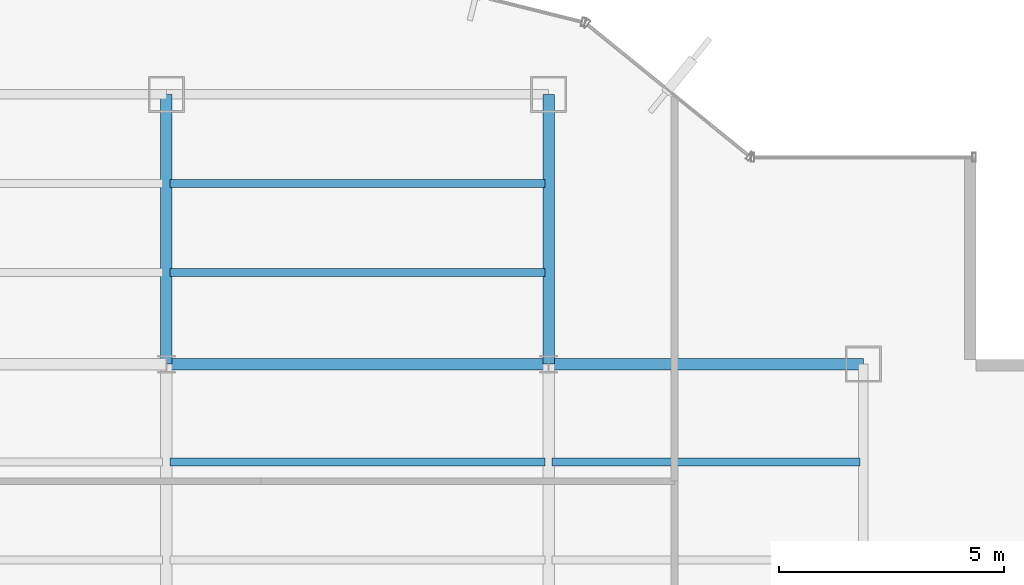
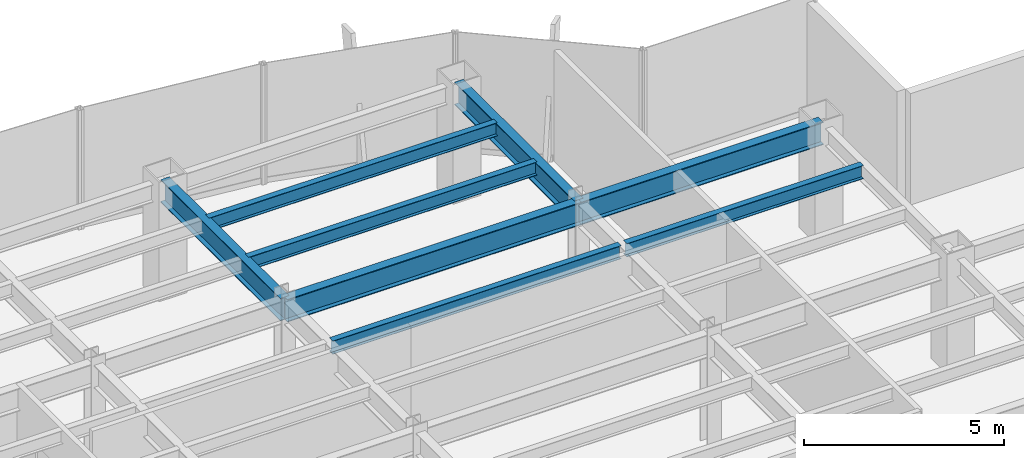
# One storey, part 17 of 26: 8 beams.
"""IFC4 building model written with IfcOpenShell, lengths in metres."""

from ifc_helpers import new_model, si_unit, derived_unit, direction, frame, origin, origin_2d, place, context, subcontext, project, spatial, i_section, extrude, source, transform, mapped, material, material_profile, profile_set, type_object, element, save


model = new_model("IFC4")

# Units and contexts
model_context = context("Model", 3, precision=1e-05, world=origin(), true_north=direction((0.0, 1.0)))
body_context = subcontext(model_context, "Body", "Model", "MODEL_VIEW")
ifc_project = project(units=[si_unit("LENGTHUNIT", "METRE"), si_unit("AREAUNIT", "SQUARE_METRE"), si_unit("VOLUMEUNIT", "CUBIC_METRE"), si_unit("PLANEANGLEUNIT", "RADIAN"), si_unit("MASSUNIT", "GRAM", prefix="KILO"), derived_unit("THERMALTRANSMITTANCEUNIT", [(si_unit("POWERUNIT", "WATT"), 1), (si_unit("LENGTHUNIT", "METRE"), -2), (si_unit("THERMODYNAMICTEMPERATUREUNIT", "KELVIN"), -1)])], contexts=[model_context])

# Site, building, storey
site_placement = place(None, origin())
site = spatial("IfcSite", under=ifc_project, at=site_placement, CompositionType="ELEMENT")
building_placement = place(site_placement, origin())
building = spatial("IfcBuilding", under=site, at=building_placement, Name="Skarnbrae Concourse Arena and Tower", CompositionType="ELEMENT")
storey_placement = place(building_placement, frame((0.0, 0.0, 114.199951171875)))
storey = spatial("IfcBuildingStorey", under=building, at=storey_placement, Name="L28", CompositionType="ELEMENT", Elevation=114.199951171875)

# Beams
ifc_material = material(Name="Steel CSA G40.21 350W", Category="steel")
ifc_material_profile_1 = material_profile(ifc_material, i_section(OverallWidth=0.256103515625, OverallDepth=0.693115234375, WebThickness=0.014404296875, FlangeThickness=0.023681640625, at=origin_2d()), Name="W690X170")
ifc_profile_set_1 = profile_set([ifc_material_profile_1], Name="Steel CSA G40.21 350W")
beam_type_1 = type_object("IfcBeamType", Name="BM-GIRD-W690X170", PredefinedType="BEAM", material=ifc_profile_set_1)
shared_shape_1 = source(origin(), body_context, "Body", "SweptSolid", [
    extrude(i_section(OverallWidth=0.256103515625, OverallDepth=0.693115234375, WebThickness=0.014404296875, FlangeThickness=0.023681640625, at=origin_2d()), origin(), (0.0, 0.0, 1.0), 7.0),
])
beam_1_placement = place(storey_placement, frame((42.0, 34.39990234375, 3.053466796875), z_axis=(1.0, 0.0, 0.0), x_axis=(0.0, 1.0, 0.0)))
element("IfcBeam", 1, at=beam_1_placement, inside=storey, type_object=beam_type_1, Name="L28 Primary E-W girder Y34.4-6", PredefinedType="BEAM", context=body_context, shape_type="MappedRepresentation", body=[
    mapped(shared_shape_1, transform((0.0, 0.0, 0.0))),
])
shared_shape_2 = source(origin(), body_context, "Body", "SweptSolid", [
    extrude(i_section(OverallWidth=0.256103515625, OverallDepth=0.693115234375, WebThickness=0.014404296875, FlangeThickness=0.023681640625, at=origin_2d()), origin(), (0.0, 0.0, 1.0), 8.5),
])
beam_2_placement = place(storey_placement, frame((33.5, 34.39990234375, 3.053466796875), z_axis=(1.0, 0.0, 0.0), x_axis=(0.0, 1.0, 0.0)))
element("IfcBeam", 2, at=beam_2_placement, inside=storey, type_object=beam_type_1, Name="L28 Primary E-W girder Y34.4-5", PredefinedType="BEAM", context=body_context, shape_type="MappedRepresentation", body=[
    mapped(shared_shape_2, transform((0.0, 0.0, 0.0))),
])
shared_shape_3 = source(origin(), body_context, "Body", "SweptSolid", [
    extrude(i_section(OverallWidth=0.256103515625, OverallDepth=0.693115234375, WebThickness=0.014404296875, FlangeThickness=0.023681640625, at=origin_2d()), origin(), (0.0, 0.0, 1.0), 6.0),
])
for number, where, z_axis, x_axis, name in (
    (3, (33.5, 34.39990234375, 3.053466796875), (0.0, 1.0, 0.0), (-1.0, 0.0, 0.0), "L28 Primary N-S girder X33.5-4"),
    (4, (42.0, 34.39990234375, 3.053466796875), (0.0, 1.0, 0.0), (-1.0, 0.0, 0.0), "L28 Primary N-S girder X42.0-5"),
):
    element("IfcBeam", number, at=place(storey_placement, frame(where, z_axis=z_axis, x_axis=x_axis)), inside=storey, type_object=beam_type_1, Name=name, PredefinedType="BEAM", context=body_context, shape_type="MappedRepresentation", body=[
        mapped(shared_shape_3, transform((0.0, 0.0, 0.0))),
    ])
ifc_material_profile_2 = material_profile(ifc_material, i_section(OverallWidth=0.177978515625, OverallDepth=0.406982421875, WebThickness=0.0078125, FlangeThickness=0.0126953125, at=origin_2d()), Name="W410X60")
ifc_profile_set_2 = profile_set([ifc_material_profile_2], Name="Steel CSA G40.21 350W")
beam_type_2 = type_object("IfcBeamType", Name="BM-JOIST-W410X60", PredefinedType="JOIST", material=ifc_profile_set_2)
shared_shape_4 = source(origin(), body_context, "Body", "SweptSolid", [
    extrude(i_section(OverallWidth=0.177978515625, OverallDepth=0.406982421875, WebThickness=0.0078125, FlangeThickness=0.0126953125, at=origin_2d()), origin(), (0.0, 0.0, 1.0), 8.33984375),
])
for number, where, z_axis, x_axis, name in (
    (5, (33.580078125, 32.221923828125, 3.196533203125), (1.0, 0.0, 0.0), (0.0, 1.0, 0.0), "L28 Secondary floor joist 3.2.5"),
    (6, (33.580078125, 36.43994140625, 3.196533203125), (1.0, 0.0, 0.0), (0.0, 1.0, 0.0), "L28 Secondary floor joist 4.1.4"),
    (7, (33.580078125, 38.419921875, 3.196533203125), (1.0, 0.0, 0.0), (0.0, 1.0, 0.0), "L28 Secondary floor joist 4.2.4"),
):
    element("IfcBeam", number, at=place(storey_placement, frame(where, z_axis=z_axis, x_axis=x_axis)), inside=storey, type_object=beam_type_2, Name=name, PredefinedType="JOIST", context=body_context, shape_type="MappedRepresentation", body=[
        mapped(shared_shape_4, transform((0.0, 0.0, 0.0))),
    ])
shared_shape_5 = source(origin(), body_context, "Body", "SweptSolid", [
    extrude(i_section(OverallWidth=0.177978515625, OverallDepth=0.406982421875, WebThickness=0.0078125, FlangeThickness=0.0126953125, at=origin_2d()), origin(), (0.0, 0.0, 1.0), 6.83984375),
])
beam_3_placement = place(storey_placement, frame((42.080078125, 32.221923828125, 3.196533203125), z_axis=(1.0, 0.0, 0.0), x_axis=(0.0, 1.0, 0.0)))
element("IfcBeam", 8, at=beam_3_placement, inside=storey, type_object=beam_type_2, Name="L28 Secondary floor joist 3.2.6", PredefinedType="JOIST", context=body_context, shape_type="MappedRepresentation", body=[
    mapped(shared_shape_5, transform((0.0, 0.0, 0.0))),
])

save(model, "model.ifc")
